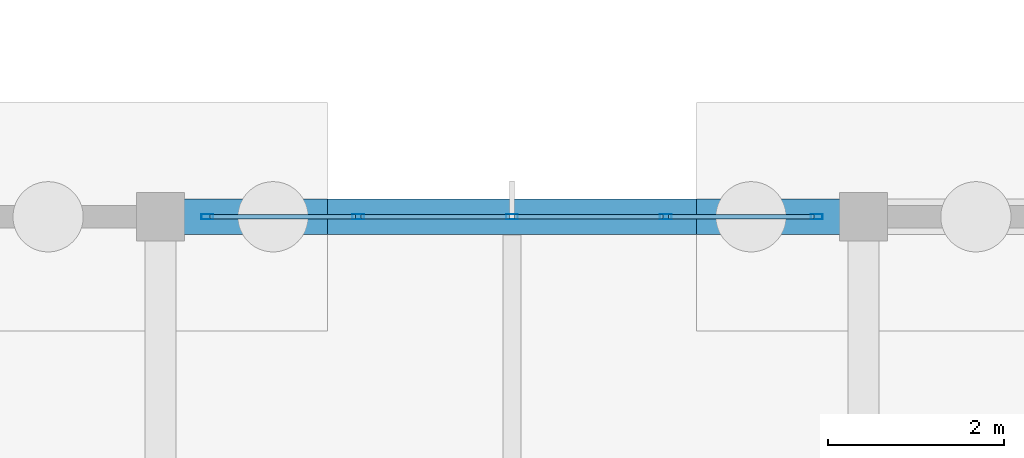
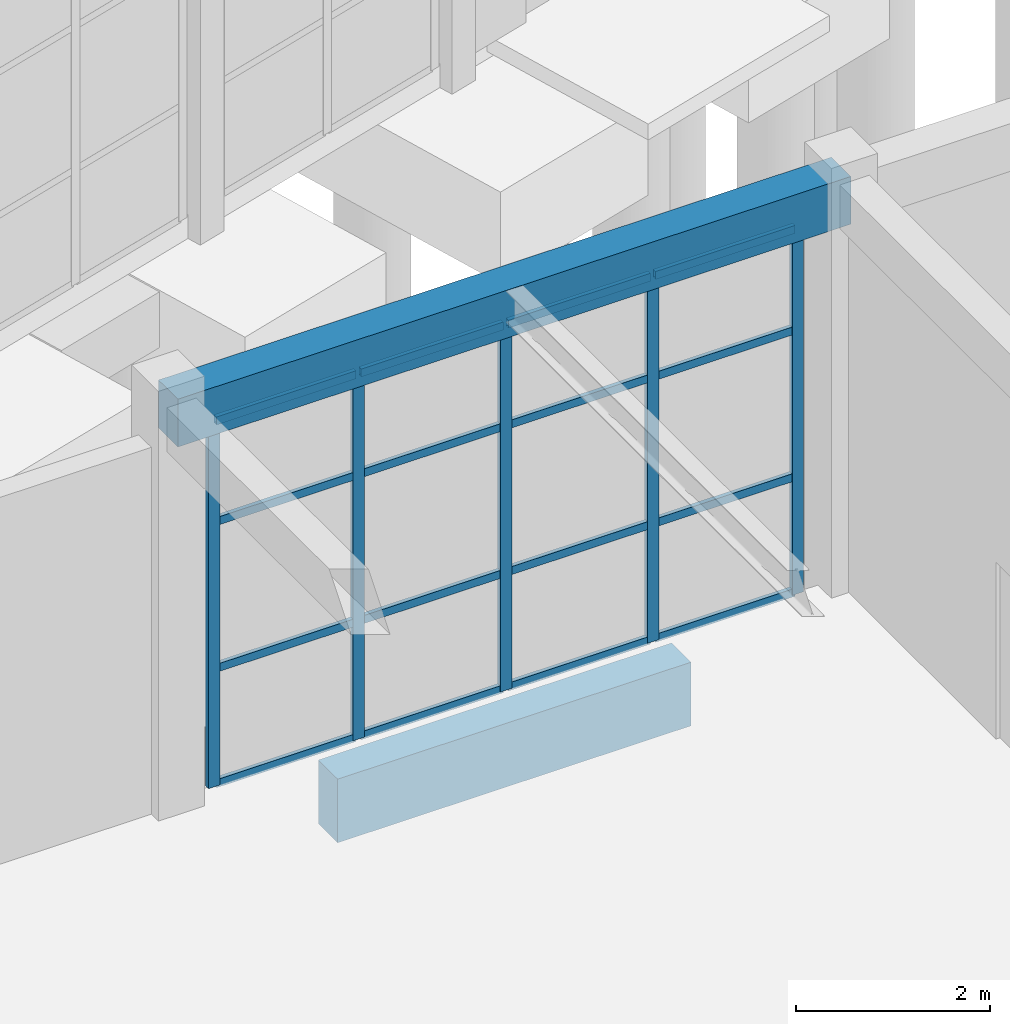
# One storey, part 19 of 90: 21 members, 2 beams, 1 element without a shape of its own.
"""IFC4 building model written with IfcOpenShell, lengths in metres."""

from ifc_helpers import new_model, si_unit, direction, frame, origin, origin_2d, place, context, subcontext, project, spatial, rectangle, hollow_rectangle, extrude, material, layer, layer_set, material_profile, profile_set, type_object, element, aggregate, save


model = new_model("IFC4")

# Units and contexts
model_context = context("Model", 3, precision=1e-05, world=origin(), true_north=direction((0.0, 1.0)))
body_context = subcontext(model_context, "Body", "Model", "MODEL_VIEW")
ifc_project = project(units=[si_unit("LENGTHUNIT", "METRE"), si_unit("AREAUNIT", "SQUARE_METRE"), si_unit("VOLUMEUNIT", "CUBIC_METRE"), si_unit("PLANEANGLEUNIT", "RADIAN"), si_unit("MASSUNIT", "GRAM", prefix="KILO")], contexts=[model_context])

# Site, building, storey
site_placement = place(None, origin())
site = spatial("IfcSite", under=ifc_project, at=site_placement, CompositionType="ELEMENT")
building_placement = place(site_placement, origin())
building = spatial("IfcBuilding", under=site, at=building_placement, Name="Canggui Botanical Conservatory", CompositionType="ELEMENT")
storey_placement = place(building_placement, origin())
storey = spatial("IfcBuildingStorey", under=building, at=storey_placement, Name="L01", CompositionType="ELEMENT", Elevation=0.0)

# Beams
ifc_material_1 = material(Name="Concrete C35", Category="concrete")
ifc_material_profile_1 = material_profile(ifc_material_1, rectangle(XDim=0.39990234375, YDim=0.800048828125, at=origin_2d()), Name="RB 400x800")
ifc_profile_set_1 = profile_set([ifc_material_profile_1], Name="Concrete C35")
beam_type_1 = type_object("IfcBeamType", Name="BM-JCL01", PredefinedType="USERDEFINED", material=ifc_profile_set_1)
beam_1_placement = place(storey_placement, frame((19.89990234375, 34.0, -0.679931640625), z_axis=(1.0, 0.0, 0.0), x_axis=(0.0, 1.0, 0.0)))
element("IfcBeam", 1, at=beam_1_placement, inside=storey, type_object=beam_type_1, Name="Foundation Grade Tie Beam JCL-021", ObjectType="GRADE BEAM", PredefinedType="USERDEFINED", context=body_context, shape_type="SweptSolid", body=[
    extrude(rectangle(XDim=0.39990234375, YDim=0.800048828125, at=origin_2d()), origin(), (0.0, 0.0, 1.0), 4.2001953125),
])
ifc_material_profile_2 = material_profile(ifc_material_1, rectangle(XDim=0.39990234375, YDim=0.60009765625, at=origin_2d()), Name="RB 400x600")
ifc_profile_set_2 = profile_set([ifc_material_profile_2], Name="Concrete C35")
beam_type_2 = type_object("IfcBeamType", Name="BM-KL13", PredefinedType="BEAM", material=ifc_profile_set_2)
beam_2_placement = place(storey_placement, frame((18.0, 34.0, 4.860107421875), z_axis=(1.0, 0.0, 0.0), x_axis=(0.0, 1.0, 0.0)))
element("IfcBeam", 2, at=beam_2_placement, inside=storey, type_object=beam_type_2, Name="Visitor Girder L01 Y34-1", PredefinedType="BEAM", context=body_context, shape_type="SweptSolid", body=[
    extrude(rectangle(XDim=0.39990234375, YDim=0.60009765625, at=origin_2d()), origin(), (0.0, 0.0, 1.0), 8.0),
])

# Curtain wall, members
ifc_material_2 = material(Name="Thermally Broken Aluminium", Category="aluminium")
ifc_layer = layer(ifc_material_2, 0.135009765625, Name="Thermally Broken Aluminium", Category="aluminium")
ifc_layer_set = layer_set([ifc_layer], Name="Thermally Broken Aluminium")
curtain_wall_type = type_object("IfcCurtainWallType", Name="CW-STICK-A", PredefinedType="USERDEFINED", material=ifc_layer_set)
curtain_wall_placement = place(storey_placement, origin())
curtain_wall = element("IfcCurtainWall", 3, at=curtain_wall_placement, inside=storey, type_object=curtain_wall_type, Name="Facade Curtain Wall CW-VIS-L01-12", ObjectType="STICK GLAZED WALL", PredefinedType="USERDEFINED")
ifc_material_profile_3 = material_profile(ifc_material_2, hollow_rectangle(XDim=0.06005859375, YDim=0.135009765625, WallThickness=0.00341796875, at=origin_2d()), Name="CWM 60x135x3.5")
ifc_profile_set_3 = profile_set([ifc_material_profile_3], Name="Thermally Broken Aluminium")
member_type_1 = type_object("IfcMemberType", Name="CWM-04", PredefinedType="MULLION", material=ifc_profile_set_3)
member_1_placement = place(storey_placement, frame((18.530029296875, 34.0, 0.0), z_axis=(0.0, 0.0, 1.0), x_axis=(0.0, 1.0, 0.0)))
member_1 = element("IfcMember", 4, at=member_1_placement, type_object=member_type_1, Name="CW-04 mullion 1", PredefinedType="MULLION", context=body_context, shape_type="SweptSolid", body=[
    extrude(hollow_rectangle(XDim=0.06005859375, YDim=0.135009765625, WallThickness=0.00341796875, at=origin_2d()), origin(), (0.0, 0.0, 1.0), 4.610107421875),
])
member_2_placement = place(storey_placement, frame((20.25, 34.0, 0.0), z_axis=(0.0, 0.0, 1.0), x_axis=(0.0, 1.0, 0.0)))
member_2 = element("IfcMember", 5, at=member_2_placement, type_object=member_type_1, Name="CW-04 mullion 2", PredefinedType="MULLION", context=body_context, shape_type="SweptSolid", body=[
    extrude(hollow_rectangle(XDim=0.06005859375, YDim=0.135009765625, WallThickness=0.00341796875, at=origin_2d()), origin(), (0.0, 0.0, 1.0), 4.610107421875),
])
member_3_placement = place(storey_placement, frame((22.0, 34.0, 0.0), z_axis=(0.0, 0.0, 1.0), x_axis=(0.0, 1.0, 0.0)))
member_3 = element("IfcMember", 6, at=member_3_placement, type_object=member_type_1, Name="CW-04 mullion 3", PredefinedType="MULLION", context=body_context, shape_type="SweptSolid", body=[
    extrude(hollow_rectangle(XDim=0.06005859375, YDim=0.135009765625, WallThickness=0.00341796875, at=origin_2d()), origin(), (0.0, 0.0, 1.0), 4.610107421875),
])
member_4_placement = place(storey_placement, frame((23.75, 34.0, 0.0), z_axis=(0.0, 0.0, 1.0), x_axis=(0.0, 1.0, 0.0)))
member_4 = element("IfcMember", 7, at=member_4_placement, type_object=member_type_1, Name="CW-04 mullion 4", PredefinedType="MULLION", context=body_context, shape_type="SweptSolid", body=[
    extrude(hollow_rectangle(XDim=0.06005859375, YDim=0.135009765625, WallThickness=0.00341796875, at=origin_2d()), origin(), (0.0, 0.0, 1.0), 4.610107421875),
])
member_5_placement = place(storey_placement, frame((25.469970703125, 34.0, 0.0), z_axis=(0.0, 0.0, 1.0), x_axis=(0.0, 1.0, 0.0)))
member_5 = element("IfcMember", 8, at=member_5_placement, type_object=member_type_1, Name="CW-04 mullion 5", PredefinedType="MULLION", context=body_context, shape_type="SweptSolid", body=[
    extrude(hollow_rectangle(XDim=0.06005859375, YDim=0.135009765625, WallThickness=0.00341796875, at=origin_2d()), origin(), (0.0, 0.0, 1.0), 4.610107421875),
])
ifc_material_profile_4 = material_profile(ifc_material_2, hollow_rectangle(XDim=0.050048828125, YDim=0.10009765625, WallThickness=0.0029296875, at=origin_2d()), Name="CWT 50x100x3")
ifc_profile_set_4 = profile_set([ifc_material_profile_4], Name="Thermally Broken Aluminium")
member_type_2 = type_object("IfcMemberType", Name="CWT-04", PredefinedType="USERDEFINED", material=ifc_profile_set_4)
member_6_placement = place(storey_placement, frame((18.56005859375, 34.0, 0.02490234375), z_axis=(1.0, 0.0, 0.0), x_axis=(0.0, 1.0, 0.0)))
member_6 = element("IfcMember", 9, at=member_6_placement, type_object=member_type_2, Name="CW-04 transom 1.1", ObjectType="TRANSOM", PredefinedType="USERDEFINED", context=body_context, shape_type="SweptSolid", body=[
    extrude(hollow_rectangle(XDim=0.050048828125, YDim=0.10009765625, WallThickness=0.0029296875, at=origin_2d()), origin(), (0.0, 0.0, 1.0), 1.659912109375),
])
member_7_placement = place(storey_placement, frame((18.56005859375, 34.0, 1.47509765625), z_axis=(1.0, 0.0, 0.0), x_axis=(0.0, 1.0, 0.0)))
member_7 = element("IfcMember", 10, at=member_7_placement, type_object=member_type_2, Name="CW-04 transom 1.2", ObjectType="TRANSOM", PredefinedType="USERDEFINED", context=body_context, shape_type="SweptSolid", body=[
    extrude(hollow_rectangle(XDim=0.050048828125, YDim=0.10009765625, WallThickness=0.0029296875, at=origin_2d()), origin(), (0.0, 0.0, 1.0), 1.659912109375),
])
member_8_placement = place(storey_placement, frame((18.56005859375, 34.0, 3.319091796875), z_axis=(1.0, 0.0, 0.0), x_axis=(0.0, 1.0, 0.0)))
member_8 = element("IfcMember", 11, at=member_8_placement, type_object=member_type_2, Name="CW-04 transom 1.3", ObjectType="TRANSOM", PredefinedType="USERDEFINED", context=body_context, shape_type="SweptSolid", body=[
    extrude(hollow_rectangle(XDim=0.050048828125, YDim=0.10009765625, WallThickness=0.0029296875, at=origin_2d()), origin(), (0.0, 0.0, 1.0), 1.659912109375),
])
member_9_placement = place(storey_placement, frame((18.56005859375, 34.0, 4.5849609375), z_axis=(1.0, 0.0, 0.0), x_axis=(0.0, 1.0, 0.0)))
member_9 = element("IfcMember", 12, at=member_9_placement, type_object=member_type_2, Name="CW-04 transom 1.4", ObjectType="TRANSOM", PredefinedType="USERDEFINED", context=body_context, shape_type="SweptSolid", body=[
    extrude(hollow_rectangle(XDim=0.050048828125, YDim=0.10009765625, WallThickness=0.0029296875, at=origin_2d()), origin(), (0.0, 0.0, 1.0), 1.659912109375),
])
member_10_placement = place(storey_placement, frame((20.280029296875, 34.0, 0.02490234375), z_axis=(1.0, 0.0, 0.0), x_axis=(0.0, 1.0, 0.0)))
member_10 = element("IfcMember", 13, at=member_10_placement, type_object=member_type_2, Name="CW-04 transom 2.1", ObjectType="TRANSOM", PredefinedType="USERDEFINED", context=body_context, shape_type="SweptSolid", body=[
    extrude(hollow_rectangle(XDim=0.050048828125, YDim=0.10009765625, WallThickness=0.0029296875, at=origin_2d()), origin(), (0.0, 0.0, 1.0), 1.68994140625),
])
member_11_placement = place(storey_placement, frame((20.280029296875, 34.0, 1.47509765625), z_axis=(1.0, 0.0, 0.0), x_axis=(0.0, 1.0, 0.0)))
member_11 = element("IfcMember", 14, at=member_11_placement, type_object=member_type_2, Name="CW-04 transom 2.2", ObjectType="TRANSOM", PredefinedType="USERDEFINED", context=body_context, shape_type="SweptSolid", body=[
    extrude(hollow_rectangle(XDim=0.050048828125, YDim=0.10009765625, WallThickness=0.0029296875, at=origin_2d()), origin(), (0.0, 0.0, 1.0), 1.68994140625),
])
member_12_placement = place(storey_placement, frame((20.280029296875, 34.0, 3.319091796875), z_axis=(1.0, 0.0, 0.0), x_axis=(0.0, 1.0, 0.0)))
member_12 = element("IfcMember", 15, at=member_12_placement, type_object=member_type_2, Name="CW-04 transom 2.3", ObjectType="TRANSOM", PredefinedType="USERDEFINED", context=body_context, shape_type="SweptSolid", body=[
    extrude(hollow_rectangle(XDim=0.050048828125, YDim=0.10009765625, WallThickness=0.0029296875, at=origin_2d()), origin(), (0.0, 0.0, 1.0), 1.68994140625),
])
member_13_placement = place(storey_placement, frame((20.280029296875, 34.0, 4.5849609375), z_axis=(1.0, 0.0, 0.0), x_axis=(0.0, 1.0, 0.0)))
member_13 = element("IfcMember", 16, at=member_13_placement, type_object=member_type_2, Name="CW-04 transom 2.4", ObjectType="TRANSOM", PredefinedType="USERDEFINED", context=body_context, shape_type="SweptSolid", body=[
    extrude(hollow_rectangle(XDim=0.050048828125, YDim=0.10009765625, WallThickness=0.0029296875, at=origin_2d()), origin(), (0.0, 0.0, 1.0), 1.68994140625),
])
member_14_placement = place(storey_placement, frame((22.030029296875, 34.0, 0.02490234375), z_axis=(1.0, 0.0, 0.0), x_axis=(0.0, 1.0, 0.0)))
member_14 = element("IfcMember", 17, at=member_14_placement, type_object=member_type_2, Name="CW-04 transom 3.1", ObjectType="TRANSOM", PredefinedType="USERDEFINED", context=body_context, shape_type="SweptSolid", body=[
    extrude(hollow_rectangle(XDim=0.050048828125, YDim=0.10009765625, WallThickness=0.0029296875, at=origin_2d()), origin(), (0.0, 0.0, 1.0), 1.68994140625),
])
member_15_placement = place(storey_placement, frame((22.030029296875, 34.0, 1.47509765625), z_axis=(1.0, 0.0, 0.0), x_axis=(0.0, 1.0, 0.0)))
member_15 = element("IfcMember", 18, at=member_15_placement, type_object=member_type_2, Name="CW-04 transom 3.2", ObjectType="TRANSOM", PredefinedType="USERDEFINED", context=body_context, shape_type="SweptSolid", body=[
    extrude(hollow_rectangle(XDim=0.050048828125, YDim=0.10009765625, WallThickness=0.0029296875, at=origin_2d()), origin(), (0.0, 0.0, 1.0), 1.68994140625),
])
member_16_placement = place(storey_placement, frame((22.030029296875, 34.0, 3.319091796875), z_axis=(1.0, 0.0, 0.0), x_axis=(0.0, 1.0, 0.0)))
member_16 = element("IfcMember", 19, at=member_16_placement, type_object=member_type_2, Name="CW-04 transom 3.3", ObjectType="TRANSOM", PredefinedType="USERDEFINED", context=body_context, shape_type="SweptSolid", body=[
    extrude(hollow_rectangle(XDim=0.050048828125, YDim=0.10009765625, WallThickness=0.0029296875, at=origin_2d()), origin(), (0.0, 0.0, 1.0), 1.68994140625),
])
member_17_placement = place(storey_placement, frame((22.030029296875, 34.0, 4.5849609375), z_axis=(1.0, 0.0, 0.0), x_axis=(0.0, 1.0, 0.0)))
member_17 = element("IfcMember", 20, at=member_17_placement, type_object=member_type_2, Name="CW-04 transom 3.4", ObjectType="TRANSOM", PredefinedType="USERDEFINED", context=body_context, shape_type="SweptSolid", body=[
    extrude(hollow_rectangle(XDim=0.050048828125, YDim=0.10009765625, WallThickness=0.0029296875, at=origin_2d()), origin(), (0.0, 0.0, 1.0), 1.68994140625),
])
member_18_placement = place(storey_placement, frame((23.780029296875, 34.0, 0.02490234375), z_axis=(1.0, 0.0, 0.0), x_axis=(0.0, 1.0, 0.0)))
member_18 = element("IfcMember", 21, at=member_18_placement, type_object=member_type_2, Name="CW-04 transom 4.1", ObjectType="TRANSOM", PredefinedType="USERDEFINED", context=body_context, shape_type="SweptSolid", body=[
    extrude(hollow_rectangle(XDim=0.050048828125, YDim=0.10009765625, WallThickness=0.0029296875, at=origin_2d()), origin(), (0.0, 0.0, 1.0), 1.659912109375),
])
member_19_placement = place(storey_placement, frame((23.780029296875, 34.0, 1.47509765625), z_axis=(1.0, 0.0, 0.0), x_axis=(0.0, 1.0, 0.0)))
member_19 = element("IfcMember", 22, at=member_19_placement, type_object=member_type_2, Name="CW-04 transom 4.2", ObjectType="TRANSOM", PredefinedType="USERDEFINED", context=body_context, shape_type="SweptSolid", body=[
    extrude(hollow_rectangle(XDim=0.050048828125, YDim=0.10009765625, WallThickness=0.0029296875, at=origin_2d()), origin(), (0.0, 0.0, 1.0), 1.659912109375),
])
member_20_placement = place(storey_placement, frame((23.780029296875, 34.0, 3.319091796875), z_axis=(1.0, 0.0, 0.0), x_axis=(0.0, 1.0, 0.0)))
member_20 = element("IfcMember", 23, at=member_20_placement, type_object=member_type_2, Name="CW-04 transom 4.3", ObjectType="TRANSOM", PredefinedType="USERDEFINED", context=body_context, shape_type="SweptSolid", body=[
    extrude(hollow_rectangle(XDim=0.050048828125, YDim=0.10009765625, WallThickness=0.0029296875, at=origin_2d()), origin(), (0.0, 0.0, 1.0), 1.659912109375),
])
member_21_placement = place(storey_placement, frame((23.780029296875, 34.0, 4.5849609375), z_axis=(1.0, 0.0, 0.0), x_axis=(0.0, 1.0, 0.0)))
member_21 = element("IfcMember", 24, at=member_21_placement, type_object=member_type_2, Name="CW-04 transom 4.4", ObjectType="TRANSOM", PredefinedType="USERDEFINED", context=body_context, shape_type="SweptSolid", body=[
    extrude(hollow_rectangle(XDim=0.050048828125, YDim=0.10009765625, WallThickness=0.0029296875, at=origin_2d()), origin(), (0.0, 0.0, 1.0), 1.659912109375),
])
aggregate(curtain_wall, [member_1, member_2, member_3, member_4, member_5, member_6, member_7, member_8, member_9, member_10, member_11, member_12, member_13, member_14, member_15, member_16, member_17, member_18, member_19, member_20, member_21])

save(model, "model.ifc")
